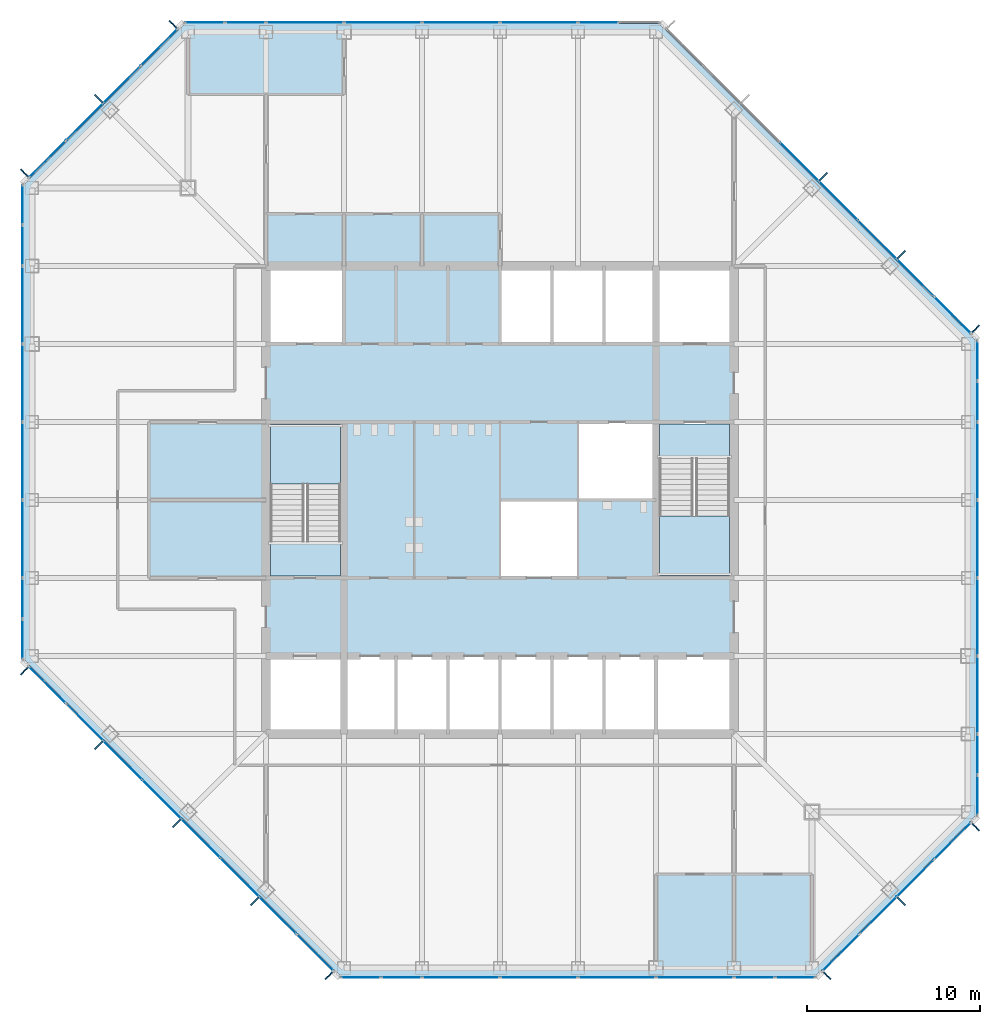
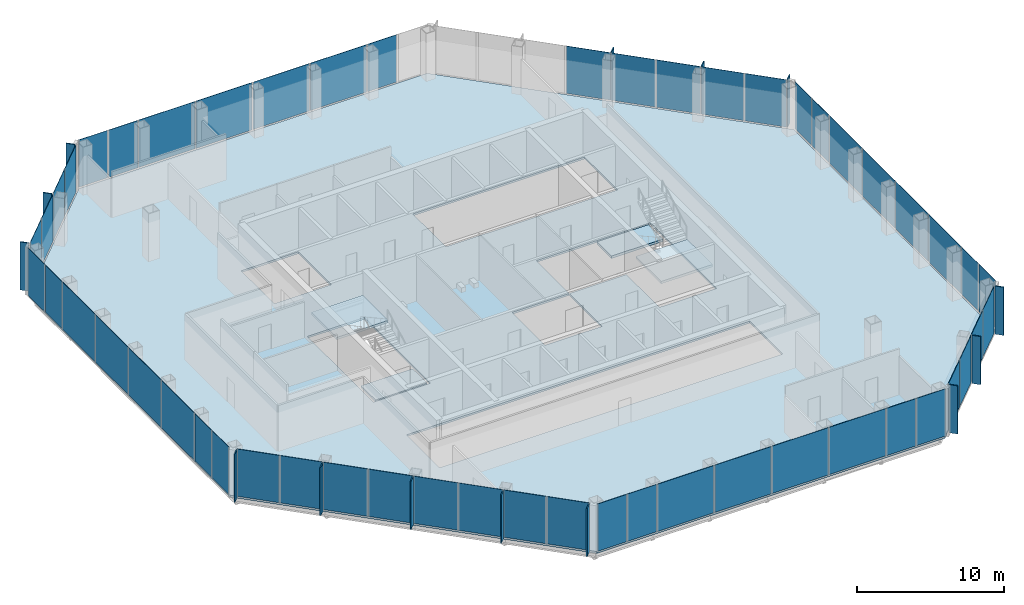
# One storey, part 7 of 12: 66 plates, 5 slabs, 10 elements without a shape of their own.
"""IFC4 building model written with IfcOpenShell, lengths in metres."""

from ifc_helpers import new_model, si_unit, direction, frame, origin, origin_2d, place, context, subcontext, project, spatial, polyline, rectangle, outline, extrude, material, layer, layer_set, type_object, element, aggregate, save


model = new_model("IFC4")

# Units and contexts
model_context = context("Model", 3, precision=1e-05, world=origin(), true_north=direction((0.0, 1.0)))
body_context = subcontext(model_context, "Body", "Model", "MODEL_VIEW")
ifc_project = project(units=[si_unit("LENGTHUNIT", "METRE"), si_unit("AREAUNIT", "SQUARE_METRE"), si_unit("VOLUMEUNIT", "CUBIC_METRE"), si_unit("PLANEANGLEUNIT", "RADIAN"), si_unit("MASSUNIT", "GRAM", prefix="KILO")], contexts=[model_context])

# Site, building, storey
site_placement = place(None, origin())
site = spatial("IfcSite", under=ifc_project, at=site_placement, CompositionType="ELEMENT")
building_placement = place(site_placement, origin())
building = spatial("IfcBuilding", under=site, at=building_placement, Name="Corais Broadcast Tower", CompositionType="ELEMENT")
storey_placement = place(building_placement, frame((0.0, 0.0, 127.60009765625)))
storey = spatial("IfcBuildingStorey", under=building, at=storey_placement, Name="L28", CompositionType="ELEMENT", Elevation=127.60009765625)

# Slab
ifc_material_1 = material(Name="Concrete C30/37", Category="concrete")
ifc_layer_1 = layer(ifc_material_1, 0.159912109375)
ifc_layer_set_1 = layer_set([ifc_layer_1], Name="Concrete C30/37")
slab_type_1 = type_object("IfcSlabType", Name="Composite floor slab 160", PredefinedType="FLOOR", material=ifc_layer_set_1)
slab_1_placement = place(storey_placement, frame((0.0, 0.0, -0.16015625)))
element("IfcSlab", 1, at=slab_1_placement, inside=storey, type_object=slab_type_1, Name="S160 floor slab L28", PredefinedType="FLOOR", context=body_context, shape_type="SweptSolid", body=[
    extrude(outline(polyline([(17.80126953125, -0.47998046875), (-0.47998046875, 17.80126953125), (-0.47998046875, 45.19873046875), (8.80126953125, 54.47998046875), (36.19873046875, 54.47998046875), (54.47998046875, 36.19873046875), (54.47998046875, 8.80126953125), (45.19873046875, -0.47998046875), (17.80126953125, -0.47998046875)]), holes=[polyline([(13.5, 18.0), (40.5, 18.0), (40.5, 13.5), (13.5, 13.5), (13.5, 18.0)]), polyline([(18.0, 22.5), (13.5, 22.5), (13.5, 31.5), (18.0, 31.5), (18.0, 22.5)]), polyline([(18.0, 36.0), (13.5, 36.0), (13.5, 40.5), (18.0, 40.5), (18.0, 36.0)]), polyline([(31.5, 22.5), (27.0, 22.5), (27.0, 27.0), (31.4951171875, 27.0), (31.4951171875, 27.0048828125), (31.5, 27.0048828125), (31.5, 31.5), (40.5, 31.5), (40.5, 22.5), (36.0, 22.5), (36.0, 27.0), (31.5048828125, 27.0), (31.5048828125, 26.9951171875), (31.5, 26.9951171875), (31.5, 22.5)]), polyline([(27.0, 40.5), (40.5, 40.5), (40.5, 36.0), (27.0, 36.0), (27.0, 40.5)])]), origin(), (0.0, 0.0, 1.0), 0.16015625),
])

# Curtain wall, plates
ifc_material_2 = material(Name="Aluminium and glass", Category="aluminium")
curtain_wall_type = type_object("IfcCurtainWallType", Name="Unitised fritted curtain wall CW2", PredefinedType="NOTDEFINED", material=ifc_material_2)
curtain_wall_1_placement = place(storey_placement, origin())
curtain_wall_1 = element("IfcCurtainWall", 2, at=curtain_wall_1_placement, inside=storey, type_object=curtain_wall_type, Name="CW2 curtain wall L28 1", PredefinedType="NOTDEFINED")
ifc_material_3 = material(Name="Ceramic-fritted laminated glass", Category="glass")
ifc_layer_2 = layer(ifc_material_3, 0.028076171875)
ifc_layer_set_2 = layer_set([ifc_layer_2], Name="Ceramic-fritted laminated glass")
plate_type_1 = type_object("IfcPlateType", Name="Fritted glass panel CW2", PredefinedType="CURTAIN_PANEL", material=ifc_layer_set_2)
plate_1_placement = place(storey_placement, frame((16.330322265625, 0.891845703125, 0.06494140625), z_axis=(0.0, 0.0, 1.0), x_axis=(-0.707106781187, 0.707106781187, 0.0)))
plate_1 = element("IfcPlate", 3, at=plate_1_placement, type_object=plate_type_1, Name="CW2 panel 1", PredefinedType="CURTAIN_PANEL", context=body_context, shape_type="SweptSolid", body=[
    extrude(rectangle(XDim=2.9482421875, YDim=0.028076171875, at=origin_2d()), origin(), (0.0, 0.0, 1.0), 3.93505859375),
])
plate_2_placement = place(storey_placement, frame((11.986083984375, 5.236083984375, 0.06494140625), z_axis=(0.0, 0.0, 1.0), x_axis=(-0.707106781187, 0.707106781187, 0.0)))
plate_2 = element("IfcPlate", 4, at=plate_2_placement, type_object=plate_type_1, Name="CW2 panel 3", PredefinedType="CURTAIN_PANEL", context=body_context, shape_type="SweptSolid", body=[
    extrude(rectangle(XDim=3.116943359375, YDim=0.028076171875, at=origin_2d()), origin(), (0.0, 0.0, 1.0), 3.93505859375),
])
plate_3_placement = place(storey_placement, frame((7.486083984375, 9.736083984375, 0.06494140625), z_axis=(0.0, 0.0, 1.0), x_axis=(-0.707106781187, 0.707106781187, 0.0)))
plate_3 = element("IfcPlate", 5, at=plate_3_placement, type_object=plate_type_1, Name="CW2 panel 5", PredefinedType="CURTAIN_PANEL", context=body_context, shape_type="SweptSolid", body=[
    extrude(rectangle(XDim=3.116943359375, YDim=0.028076171875, at=origin_2d()), origin(), (0.0, 0.0, 1.0), 3.93505859375),
])
plate_4_placement = place(storey_placement, frame((3.0341796875, 14.18798828125, 0.06494140625), z_axis=(0.0, 0.0, 1.0), x_axis=(-0.707106781187, 0.707106781187, 0.0)))
plate_4 = element("IfcPlate", 6, at=plate_4_placement, type_object=plate_type_1, Name="CW2 panel 7", PredefinedType="CURTAIN_PANEL", context=body_context, shape_type="SweptSolid", body=[
    extrude(rectangle(XDim=2.98095703125, YDim=0.028076171875, at=origin_2d()), origin(), (0.0, 0.0, 1.0), 3.93505859375),
])

curtain_wall_2_placement = place(storey_placement, origin())
curtain_wall_2 = element("IfcCurtainWall", 7, at=curtain_wall_2_placement, inside=storey, type_object=curtain_wall_type, Name="CW2 curtain wall L28 2", PredefinedType="NOTDEFINED")
plate_5_placement = place(storey_placement, frame((-0.550048828125, 18.970458984375, 0.06494140625), z_axis=(0.0, 0.0, 1.0), x_axis=(0.0, 1.0, 0.0)))
plate_5 = element("IfcPlate", 8, at=plate_5_placement, type_object=plate_type_1, Name="CW2 panel 1", PredefinedType="CURTAIN_PANEL", context=body_context, shape_type="SweptSolid", body=[
    extrude(rectangle(XDim=2.266357421875, YDim=0.028076171875, at=origin_2d()), origin(), (0.0, 0.0, 1.0), 3.93505859375),
])
plate_6_placement = place(storey_placement, frame((-0.550048828125, 24.75, 0.06494140625), z_axis=(0.0, 0.0, 1.0), x_axis=(0.0, 1.0, 0.0)))
plate_6 = element("IfcPlate", 9, at=plate_6_placement, type_object=plate_type_1, Name="CW2 panel 3", PredefinedType="CURTAIN_PANEL", context=body_context, shape_type="SweptSolid", body=[
    extrude(rectangle(XDim=4.43505859375, YDim=0.028076171875, at=origin_2d()), origin(), (0.0, 0.0, 1.0), 3.93505859375),
])
plate_7_placement = place(storey_placement, frame((-0.550048828125, 33.75, 0.06494140625), z_axis=(0.0, 0.0, 1.0), x_axis=(0.0, 1.0, 0.0)))
plate_7 = element("IfcPlate", 10, at=plate_7_placement, type_object=plate_type_1, Name="CW2 panel 5", PredefinedType="CURTAIN_PANEL", context=body_context, shape_type="SweptSolid", body=[
    extrude(rectangle(XDim=4.43505859375, YDim=0.028076171875, at=origin_2d()), origin(), (0.0, 0.0, 1.0), 3.93505859375),
])
plate_8_placement = place(storey_placement, frame((-0.550048828125, 41.681884765625, 0.06494140625), z_axis=(0.0, 0.0, 1.0), x_axis=(0.0, 1.0, 0.0)))
plate_8 = element("IfcPlate", 11, at=plate_8_placement, type_object=plate_type_1, Name="CW2 panel 7", PredefinedType="CURTAIN_PANEL", context=body_context, shape_type="SweptSolid", body=[
    extrude(rectangle(XDim=2.298828125, YDim=0.028076171875, at=origin_2d()), origin(), (0.0, 0.0, 1.0), 3.93505859375),
])

curtain_wall_3_placement = place(storey_placement, origin())
curtain_wall_3 = element("IfcCurtainWall", 12, at=curtain_wall_3_placement, inside=storey, type_object=curtain_wall_type, Name="CW2 curtain wall L28 3", PredefinedType="NOTDEFINED")
plate_9_placement = place(storey_placement, frame((0.891845703125, 46.669677734375, 0.06494140625), z_axis=(0.0, 0.0, 1.0), x_axis=(0.707106781187, 0.707106781187, 0.0)))
plate_9 = element("IfcPlate", 13, at=plate_9_placement, type_object=plate_type_1, Name="CW2 panel 1", PredefinedType="CURTAIN_PANEL", context=body_context, shape_type="SweptSolid", body=[
    extrude(rectangle(XDim=2.9482421875, YDim=0.028076171875, at=origin_2d()), origin(), (0.0, 0.0, 1.0), 3.93505859375),
])
plate_10_placement = place(storey_placement, frame((5.18798828125, 50.9658203125, 0.06494140625), z_axis=(0.0, 0.0, 1.0), x_axis=(0.707106781187, 0.707106781187, 0.0)))
plate_10 = element("IfcPlate", 14, at=plate_10_placement, type_object=plate_type_1, Name="CW2 panel 3", PredefinedType="CURTAIN_PANEL", context=body_context, shape_type="SweptSolid", body=[
    extrude(rectangle(XDim=2.98095703125, YDim=0.028076171875, at=origin_2d()), origin(), (0.0, 0.0, 1.0), 3.93505859375),
])

curtain_wall_4_placement = place(storey_placement, origin())
curtain_wall_4 = element("IfcCurtainWall", 15, at=curtain_wall_4_placement, inside=storey, type_object=curtain_wall_type, Name="CW2 curtain wall L28 4", PredefinedType="NOTDEFINED")
plate_11_placement = place(storey_placement, frame((9.970458984375, 54.550048828125, 0.06494140625), z_axis=(0.0, 0.0, 1.0), x_axis=(1.0, 0.0, 0.0)))
plate_11 = element("IfcPlate", 16, at=plate_11_placement, type_object=plate_type_1, Name="CW2 panel 1", PredefinedType="CURTAIN_PANEL", context=body_context, shape_type="SweptSolid", body=[
    extrude(rectangle(XDim=2.266357421875, YDim=0.028076171875, at=origin_2d()), origin(), (0.0, 0.0, 1.0), 3.93505859375),
])
plate_12_placement = place(storey_placement, frame((15.75, 54.550048828125, 0.06494140625), z_axis=(0.0, 0.0, 1.0), x_axis=(1.0, 0.0, 0.0)))
plate_12 = element("IfcPlate", 17, at=plate_12_placement, type_object=plate_type_1, Name="CW2 panel 3", PredefinedType="CURTAIN_PANEL", context=body_context, shape_type="SweptSolid", body=[
    extrude(rectangle(XDim=4.43505859375, YDim=0.028076171875, at=origin_2d()), origin(), (0.0, 0.0, 1.0), 3.93505859375),
])
plate_13_placement = place(storey_placement, frame((24.75, 54.550048828125, 0.06494140625), z_axis=(0.0, 0.0, 1.0), x_axis=(1.0, 0.0, 0.0)))
plate_13 = element("IfcPlate", 18, at=plate_13_placement, type_object=plate_type_1, Name="CW2 panel 5", PredefinedType="CURTAIN_PANEL", context=body_context, shape_type="SweptSolid", body=[
    extrude(rectangle(XDim=4.43505859375, YDim=0.028076171875, at=origin_2d()), origin(), (0.0, 0.0, 1.0), 3.93505859375),
])
plate_14_placement = place(storey_placement, frame((32.681884765625, 54.550048828125, 0.06494140625), z_axis=(0.0, 0.0, 1.0), x_axis=(1.0, 0.0, 0.0)))
plate_14 = element("IfcPlate", 19, at=plate_14_placement, type_object=plate_type_1, Name="CW2 panel 7", PredefinedType="CURTAIN_PANEL", context=body_context, shape_type="SweptSolid", body=[
    extrude(rectangle(XDim=2.298828125, YDim=0.028076171875, at=origin_2d()), origin(), (0.0, 0.0, 1.0), 3.93505859375),
])

curtain_wall_5_placement = place(storey_placement, origin())
curtain_wall_5 = element("IfcCurtainWall", 20, at=curtain_wall_5_placement, inside=storey, type_object=curtain_wall_type, Name="CW2 curtain wall L28 5", PredefinedType="NOTDEFINED")
plate_15_placement = place(storey_placement, frame((46.513916015625, 44.263916015625, 0.06494140625), z_axis=(0.0, 0.0, 1.0), x_axis=(0.707106781187, -0.707106781187, 0.0)))
plate_15 = element("IfcPlate", 21, at=plate_15_placement, type_object=plate_type_1, Name="CW2 panel 5", PredefinedType="CURTAIN_PANEL", context=body_context, shape_type="SweptSolid", body=[
    extrude(rectangle(XDim=3.116943359375, YDim=0.028076171875, at=origin_2d()), origin(), (0.0, 0.0, 1.0), 3.93505859375),
])
plate_16_placement = place(storey_placement, frame((50.9658203125, 39.81201171875, 0.06494140625), z_axis=(0.0, 0.0, 1.0), x_axis=(0.707106781187, -0.707106781187, 0.0)))
plate_16 = element("IfcPlate", 22, at=plate_16_placement, type_object=plate_type_1, Name="CW2 panel 7", PredefinedType="CURTAIN_PANEL", context=body_context, shape_type="SweptSolid", body=[
    extrude(rectangle(XDim=2.98095703125, YDim=0.028076171875, at=origin_2d()), origin(), (0.0, 0.0, 1.0), 3.93505859375),
])

curtain_wall_6_placement = place(storey_placement, origin())
curtain_wall_6 = element("IfcCurtainWall", 23, at=curtain_wall_6_placement, inside=storey, type_object=curtain_wall_type, Name="CW2 curtain wall L28 6", PredefinedType="NOTDEFINED")
plate_17_placement = place(storey_placement, frame((54.550048828125, 35.029541015625, 0.06494140625), z_axis=(0.0, 0.0, 1.0), x_axis=(0.0, -1.0, 0.0)))
plate_17 = element("IfcPlate", 24, at=plate_17_placement, type_object=plate_type_1, Name="CW2 panel 1", PredefinedType="CURTAIN_PANEL", context=body_context, shape_type="SweptSolid", body=[
    extrude(rectangle(XDim=2.266357421875, YDim=0.028076171875, at=origin_2d()), origin(), (0.0, 0.0, 1.0), 3.93505859375),
])
plate_18_placement = place(storey_placement, frame((54.550048828125, 29.25, 0.06494140625), z_axis=(0.0, 0.0, 1.0), x_axis=(0.0, -1.0, 0.0)))
plate_18 = element("IfcPlate", 25, at=plate_18_placement, type_object=plate_type_1, Name="CW2 panel 3", PredefinedType="CURTAIN_PANEL", context=body_context, shape_type="SweptSolid", body=[
    extrude(rectangle(XDim=4.43505859375, YDim=0.028076171875, at=origin_2d()), origin(), (0.0, 0.0, 1.0), 3.93505859375),
])
plate_19_placement = place(storey_placement, frame((54.550048828125, 20.25, 0.06494140625), z_axis=(0.0, 0.0, 1.0), x_axis=(0.0, -1.0, 0.0)))
plate_19 = element("IfcPlate", 26, at=plate_19_placement, type_object=plate_type_1, Name="CW2 panel 5", PredefinedType="CURTAIN_PANEL", context=body_context, shape_type="SweptSolid", body=[
    extrude(rectangle(XDim=4.43505859375, YDim=0.028076171875, at=origin_2d()), origin(), (0.0, 0.0, 1.0), 3.93505859375),
])
plate_20_placement = place(storey_placement, frame((54.550048828125, 12.318115234375, 0.06494140625), z_axis=(0.0, 0.0, 1.0), x_axis=(0.0, -1.0, 0.0)))
plate_20 = element("IfcPlate", 27, at=plate_20_placement, type_object=plate_type_1, Name="CW2 panel 7", PredefinedType="CURTAIN_PANEL", context=body_context, shape_type="SweptSolid", body=[
    extrude(rectangle(XDim=2.298828125, YDim=0.028076171875, at=origin_2d()), origin(), (0.0, 0.0, 1.0), 3.93505859375),
])

curtain_wall_7_placement = place(storey_placement, origin())
curtain_wall_7 = element("IfcCurtainWall", 28, at=curtain_wall_7_placement, inside=storey, type_object=curtain_wall_type, Name="CW2 curtain wall L28 7", PredefinedType="NOTDEFINED")
plate_21_placement = place(storey_placement, frame((53.108154296875, 7.330322265625, 0.06494140625), z_axis=(0.0, 0.0, 1.0), x_axis=(-0.707106781187, -0.707106781187, 0.0)))
plate_21 = element("IfcPlate", 29, at=plate_21_placement, type_object=plate_type_1, Name="CW2 panel 1", PredefinedType="CURTAIN_PANEL", context=body_context, shape_type="SweptSolid", body=[
    extrude(rectangle(XDim=2.9482421875, YDim=0.028076171875, at=origin_2d()), origin(), (0.0, 0.0, 1.0), 3.93505859375),
])
plate_22_placement = place(storey_placement, frame((48.81201171875, 3.0341796875, 0.06494140625), z_axis=(0.0, 0.0, 1.0), x_axis=(-0.707106781187, -0.707106781187, 0.0)))
plate_22 = element("IfcPlate", 30, at=plate_22_placement, type_object=plate_type_1, Name="CW2 panel 3", PredefinedType="CURTAIN_PANEL", context=body_context, shape_type="SweptSolid", body=[
    extrude(rectangle(XDim=2.98095703125, YDim=0.028076171875, at=origin_2d()), origin(), (0.0, 0.0, 1.0), 3.93505859375),
])

curtain_wall_8_placement = place(storey_placement, origin())
curtain_wall_8 = element("IfcCurtainWall", 31, at=curtain_wall_8_placement, inside=storey, type_object=curtain_wall_type, Name="CW2 curtain wall L28 8", PredefinedType="NOTDEFINED")
plate_23_placement = place(storey_placement, frame((44.029541015625, -0.550048828125, 0.06494140625), z_axis=(0.0, 0.0, 1.0), x_axis=(-1.0, 0.0, 0.0)))
plate_23 = element("IfcPlate", 32, at=plate_23_placement, type_object=plate_type_1, Name="CW2 panel 1", PredefinedType="CURTAIN_PANEL", context=body_context, shape_type="SweptSolid", body=[
    extrude(rectangle(XDim=2.266357421875, YDim=0.028076171875, at=origin_2d()), origin(), (0.0, 0.0, 1.0), 3.93505859375),
])
plate_24_placement = place(storey_placement, frame((38.25, -0.550048828125, 0.06494140625), z_axis=(0.0, 0.0, 1.0), x_axis=(-1.0, 0.0, 0.0)))
plate_24 = element("IfcPlate", 33, at=plate_24_placement, type_object=plate_type_1, Name="CW2 panel 3", PredefinedType="CURTAIN_PANEL", context=body_context, shape_type="SweptSolid", body=[
    extrude(rectangle(XDim=4.43505859375, YDim=0.028076171875, at=origin_2d()), origin(), (0.0, 0.0, 1.0), 3.93505859375),
])
plate_25_placement = place(storey_placement, frame((29.25, -0.550048828125, 0.06494140625), z_axis=(0.0, 0.0, 1.0), x_axis=(-1.0, 0.0, 0.0)))
plate_25 = element("IfcPlate", 34, at=plate_25_placement, type_object=plate_type_1, Name="CW2 panel 5", PredefinedType="CURTAIN_PANEL", context=body_context, shape_type="SweptSolid", body=[
    extrude(rectangle(XDim=4.43505859375, YDim=0.028076171875, at=origin_2d()), origin(), (0.0, 0.0, 1.0), 3.93505859375),
])
plate_26_placement = place(storey_placement, frame((21.318115234375, -0.550048828125, 0.06494140625), z_axis=(0.0, 0.0, 1.0), x_axis=(-1.0, 0.0, 0.0)))
plate_26 = element("IfcPlate", 35, at=plate_26_placement, type_object=plate_type_1, Name="CW2 panel 7", PredefinedType="CURTAIN_PANEL", context=body_context, shape_type="SweptSolid", body=[
    extrude(rectangle(XDim=2.298828125, YDim=0.028076171875, at=origin_2d()), origin(), (0.0, 0.0, 1.0), 3.93505859375),
])

# Plate
ifc_material_4 = material(Name="Clear laminated glass", Category="glass")
ifc_layer_3 = layer(ifc_material_4, 0.031982421875)
ifc_layer_set_3 = layer_set([ifc_layer_3], Name="Clear laminated glass")
plate_type_2 = type_object("IfcPlateType", Name="Operable glass panel CW2", PredefinedType="CURTAIN_PANEL", material=ifc_layer_set_3)
plate_27_placement = place(storey_placement, frame((14.18798828125, 3.0341796875, 0.06494140625), z_axis=(0.0, 0.0, 1.0), x_axis=(-0.707106781187, 0.707106781187, 0.0)))
plate_27 = element("IfcPlate", 36, at=plate_27_placement, type_object=plate_type_2, Name="CW2 operable panel 2", PredefinedType="CURTAIN_PANEL", context=body_context, shape_type="SweptSolid", body=[
    extrude(rectangle(XDim=2.98095703125, YDim=0.031982421875, at=origin_2d()), origin(), (0.0, 0.0, 1.0), 3.93505859375),
])

plate_28_placement = place(storey_placement, frame((9.736083984375, 7.486083984375, 0.06494140625), z_axis=(0.0, 0.0, 1.0), x_axis=(-0.707106781187, 0.707106781187, 0.0)))
plate_28 = element("IfcPlate", 37, at=plate_28_placement, type_object=plate_type_2, Name="CW2 operable panel 4", PredefinedType="CURTAIN_PANEL", context=body_context, shape_type="SweptSolid", body=[
    extrude(rectangle(XDim=3.116943359375, YDim=0.031982421875, at=origin_2d()), origin(), (0.0, 0.0, 1.0), 3.93505859375),
])

plate_29_placement = place(storey_placement, frame((5.236083984375, 11.986083984375, 0.06494140625), z_axis=(0.0, 0.0, 1.0), x_axis=(-0.707106781187, 0.707106781187, 0.0)))
plate_29 = element("IfcPlate", 38, at=plate_29_placement, type_object=plate_type_2, Name="CW2 operable panel 6", PredefinedType="CURTAIN_PANEL", context=body_context, shape_type="SweptSolid", body=[
    extrude(rectangle(XDim=3.116943359375, YDim=0.031982421875, at=origin_2d()), origin(), (0.0, 0.0, 1.0), 3.93505859375),
])

plate_30_placement = place(storey_placement, frame((0.89208984375, 16.330322265625, 0.06494140625), z_axis=(0.0, 0.0, 1.0), x_axis=(-0.707106781187, 0.707106781187, 0.0)))
plate_30 = element("IfcPlate", 39, at=plate_30_placement, type_object=plate_type_2, Name="CW2 operable panel 8", PredefinedType="CURTAIN_PANEL", context=body_context, shape_type="SweptSolid", body=[
    extrude(rectangle(XDim=2.948486328125, YDim=0.031982421875, at=origin_2d()), origin(), (0.0, 0.0, 1.0), 3.93505859375),
])

aggregate(curtain_wall_1, [plate_1, plate_27, plate_2, plate_28, plate_3, plate_29, plate_4, plate_30])

plate_31_placement = place(storey_placement, frame((-0.550048828125, 21.318115234375, 0.06494140625), z_axis=(0.0, 0.0, 1.0), x_axis=(0.0, 1.0, 0.0)))
plate_31 = element("IfcPlate", 40, at=plate_31_placement, type_object=plate_type_2, Name="CW2 operable panel 2", PredefinedType="CURTAIN_PANEL", context=body_context, shape_type="SweptSolid", body=[
    extrude(rectangle(XDim=2.298828125, YDim=0.031982421875, at=origin_2d()), origin(), (0.0, 0.0, 1.0), 3.93505859375),
])

plate_32_placement = place(storey_placement, frame((-0.550048828125, 29.25, 0.06494140625), z_axis=(0.0, 0.0, 1.0), x_axis=(0.0, 1.0, 0.0)))
plate_32 = element("IfcPlate", 41, at=plate_32_placement, type_object=plate_type_2, Name="CW2 operable panel 4", PredefinedType="CURTAIN_PANEL", context=body_context, shape_type="SweptSolid", body=[
    extrude(rectangle(XDim=4.43505859375, YDim=0.031982421875, at=origin_2d()), origin(), (0.0, 0.0, 1.0), 3.93505859375),
])

plate_33_placement = place(storey_placement, frame((-0.550048828125, 38.25, 0.06494140625), z_axis=(0.0, 0.0, 1.0), x_axis=(0.0, 1.0, 0.0)))
plate_33 = element("IfcPlate", 42, at=plate_33_placement, type_object=plate_type_2, Name="CW2 operable panel 6", PredefinedType="CURTAIN_PANEL", context=body_context, shape_type="SweptSolid", body=[
    extrude(rectangle(XDim=4.43505859375, YDim=0.031982421875, at=origin_2d()), origin(), (0.0, 0.0, 1.0), 3.93505859375),
])

plate_34_placement = place(storey_placement, frame((-0.550048828125, 44.029541015625, 0.06494140625), z_axis=(0.0, 0.0, 1.0), x_axis=(0.0, 1.0, 0.0)))
plate_34 = element("IfcPlate", 43, at=plate_34_placement, type_object=plate_type_2, Name="CW2 operable panel 8", PredefinedType="CURTAIN_PANEL", context=body_context, shape_type="SweptSolid", body=[
    extrude(rectangle(XDim=2.266357421875, YDim=0.031982421875, at=origin_2d()), origin(), (0.0, 0.0, 1.0), 3.93505859375),
])

aggregate(curtain_wall_2, [plate_5, plate_31, plate_6, plate_32, plate_7, plate_33, plate_8, plate_34])

plate_35_placement = place(storey_placement, frame((3.0341796875, 48.81201171875, 0.06494140625), z_axis=(0.0, 0.0, 1.0), x_axis=(0.707106781187, 0.707106781187, 0.0)))
plate_35 = element("IfcPlate", 44, at=plate_35_placement, type_object=plate_type_2, Name="CW2 operable panel 2", PredefinedType="CURTAIN_PANEL", context=body_context, shape_type="SweptSolid", body=[
    extrude(rectangle(XDim=2.98095703125, YDim=0.031982421875, at=origin_2d()), origin(), (0.0, 0.0, 1.0), 3.93505859375),
])

plate_36_placement = place(storey_placement, frame((7.330322265625, 53.10791015625, 0.06494140625), z_axis=(0.0, 0.0, 1.0), x_axis=(0.707106781187, 0.707106781187, 0.0)))
plate_36 = element("IfcPlate", 45, at=plate_36_placement, type_object=plate_type_2, Name="CW2 operable panel 4", PredefinedType="CURTAIN_PANEL", context=body_context, shape_type="SweptSolid", body=[
    extrude(rectangle(XDim=2.948486328125, YDim=0.031982421875, at=origin_2d()), origin(), (0.0, 0.0, 1.0), 3.93505859375),
])

aggregate(curtain_wall_3, [plate_9, plate_35, plate_10, plate_36])

plate_37_placement = place(storey_placement, frame((12.318115234375, 54.550048828125, 0.06494140625), z_axis=(0.0, 0.0, 1.0), x_axis=(1.0, 0.0, 0.0)))
plate_37 = element("IfcPlate", 46, at=plate_37_placement, type_object=plate_type_2, Name="CW2 operable panel 2", PredefinedType="CURTAIN_PANEL", context=body_context, shape_type="SweptSolid", body=[
    extrude(rectangle(XDim=2.298828125, YDim=0.031982421875, at=origin_2d()), origin(), (0.0, 0.0, 1.0), 3.93505859375),
])

plate_38_placement = place(storey_placement, frame((20.25, 54.550048828125, 0.06494140625), z_axis=(0.0, 0.0, 1.0), x_axis=(1.0, 0.0, 0.0)))
plate_38 = element("IfcPlate", 47, at=plate_38_placement, type_object=plate_type_2, Name="CW2 operable panel 4", PredefinedType="CURTAIN_PANEL", context=body_context, shape_type="SweptSolid", body=[
    extrude(rectangle(XDim=4.43505859375, YDim=0.031982421875, at=origin_2d()), origin(), (0.0, 0.0, 1.0), 3.93505859375),
])

plate_39_placement = place(storey_placement, frame((29.25, 54.550048828125, 0.06494140625), z_axis=(0.0, 0.0, 1.0), x_axis=(1.0, 0.0, 0.0)))
plate_39 = element("IfcPlate", 48, at=plate_39_placement, type_object=plate_type_2, Name="CW2 operable panel 6", PredefinedType="CURTAIN_PANEL", context=body_context, shape_type="SweptSolid", body=[
    extrude(rectangle(XDim=4.43505859375, YDim=0.031982421875, at=origin_2d()), origin(), (0.0, 0.0, 1.0), 3.93505859375),
])

aggregate(curtain_wall_4, [plate_11, plate_37, plate_12, plate_38, plate_13, plate_39, plate_14])

plate_40_placement = place(storey_placement, frame((44.263916015625, 46.513916015625, 0.06494140625), z_axis=(0.0, 0.0, 1.0), x_axis=(0.707106781187, -0.707106781187, 0.0)))
plate_40 = element("IfcPlate", 49, at=plate_40_placement, type_object=plate_type_2, Name="CW2 operable panel 4", PredefinedType="CURTAIN_PANEL", context=body_context, shape_type="SweptSolid", body=[
    extrude(rectangle(XDim=3.116943359375, YDim=0.031982421875, at=origin_2d()), origin(), (0.0, 0.0, 1.0), 3.93505859375),
])

plate_41_placement = place(storey_placement, frame((48.763916015625, 42.013916015625, 0.06494140625), z_axis=(0.0, 0.0, 1.0), x_axis=(0.707106781187, -0.707106781187, 0.0)))
plate_41 = element("IfcPlate", 50, at=plate_41_placement, type_object=plate_type_2, Name="CW2 operable panel 6", PredefinedType="CURTAIN_PANEL", context=body_context, shape_type="SweptSolid", body=[
    extrude(rectangle(XDim=3.116943359375, YDim=0.031982421875, at=origin_2d()), origin(), (0.0, 0.0, 1.0), 3.93505859375),
])

plate_42_placement = place(storey_placement, frame((53.10791015625, 37.669677734375, 0.06494140625), z_axis=(0.0, 0.0, 1.0), x_axis=(0.707106781187, -0.707106781187, 0.0)))
plate_42 = element("IfcPlate", 51, at=plate_42_placement, type_object=plate_type_2, Name="CW2 operable panel 8", PredefinedType="CURTAIN_PANEL", context=body_context, shape_type="SweptSolid", body=[
    extrude(rectangle(XDim=2.948486328125, YDim=0.031982421875, at=origin_2d()), origin(), (0.0, 0.0, 1.0), 3.93505859375),
])

aggregate(curtain_wall_5, [plate_40, plate_15, plate_41, plate_16, plate_42])

plate_43_placement = place(storey_placement, frame((54.550048828125, 32.681884765625, 0.06494140625), z_axis=(0.0, 0.0, 1.0), x_axis=(0.0, -1.0, 0.0)))
plate_43 = element("IfcPlate", 52, at=plate_43_placement, type_object=plate_type_2, Name="CW2 operable panel 2", PredefinedType="CURTAIN_PANEL", context=body_context, shape_type="SweptSolid", body=[
    extrude(rectangle(XDim=2.298828125, YDim=0.031982421875, at=origin_2d()), origin(), (0.0, 0.0, 1.0), 3.93505859375),
])

plate_44_placement = place(storey_placement, frame((54.550048828125, 24.75, 0.06494140625), z_axis=(0.0, 0.0, 1.0), x_axis=(0.0, -1.0, 0.0)))
plate_44 = element("IfcPlate", 53, at=plate_44_placement, type_object=plate_type_2, Name="CW2 operable panel 4", PredefinedType="CURTAIN_PANEL", context=body_context, shape_type="SweptSolid", body=[
    extrude(rectangle(XDim=4.43505859375, YDim=0.031982421875, at=origin_2d()), origin(), (0.0, 0.0, 1.0), 3.93505859375),
])

plate_45_placement = place(storey_placement, frame((54.550048828125, 15.75, 0.06494140625), z_axis=(0.0, 0.0, 1.0), x_axis=(0.0, -1.0, 0.0)))
plate_45 = element("IfcPlate", 54, at=plate_45_placement, type_object=plate_type_2, Name="CW2 operable panel 6", PredefinedType="CURTAIN_PANEL", context=body_context, shape_type="SweptSolid", body=[
    extrude(rectangle(XDim=4.43505859375, YDim=0.031982421875, at=origin_2d()), origin(), (0.0, 0.0, 1.0), 3.93505859375),
])

plate_46_placement = place(storey_placement, frame((54.550048828125, 9.970458984375, 0.06494140625), z_axis=(0.0, 0.0, 1.0), x_axis=(0.0, -1.0, 0.0)))
plate_46 = element("IfcPlate", 55, at=plate_46_placement, type_object=plate_type_2, Name="CW2 operable panel 8", PredefinedType="CURTAIN_PANEL", context=body_context, shape_type="SweptSolid", body=[
    extrude(rectangle(XDim=2.266357421875, YDim=0.031982421875, at=origin_2d()), origin(), (0.0, 0.0, 1.0), 3.93505859375),
])

aggregate(curtain_wall_6, [plate_17, plate_43, plate_18, plate_44, plate_19, plate_45, plate_20, plate_46])

plate_47_placement = place(storey_placement, frame((50.9658203125, 5.18798828125, 0.06494140625), z_axis=(0.0, 0.0, 1.0), x_axis=(-0.707106781187, -0.707106781187, 0.0)))
plate_47 = element("IfcPlate", 56, at=plate_47_placement, type_object=plate_type_2, Name="CW2 operable panel 2", PredefinedType="CURTAIN_PANEL", context=body_context, shape_type="SweptSolid", body=[
    extrude(rectangle(XDim=2.98095703125, YDim=0.031982421875, at=origin_2d()), origin(), (0.0, 0.0, 1.0), 3.93505859375),
])

plate_48_placement = place(storey_placement, frame((46.669677734375, 0.89208984375, 0.06494140625), z_axis=(0.0, 0.0, 1.0), x_axis=(-0.707106781187, -0.707106781187, 0.0)))
plate_48 = element("IfcPlate", 57, at=plate_48_placement, type_object=plate_type_2, Name="CW2 operable panel 4", PredefinedType="CURTAIN_PANEL", context=body_context, shape_type="SweptSolid", body=[
    extrude(rectangle(XDim=2.948486328125, YDim=0.031982421875, at=origin_2d()), origin(), (0.0, 0.0, 1.0), 3.93505859375),
])

aggregate(curtain_wall_7, [plate_21, plate_47, plate_22, plate_48])

plate_49_placement = place(storey_placement, frame((41.681884765625, -0.550048828125, 0.06494140625), z_axis=(0.0, 0.0, 1.0), x_axis=(-1.0, 0.0, 0.0)))
plate_49 = element("IfcPlate", 58, at=plate_49_placement, type_object=plate_type_2, Name="CW2 operable panel 2", PredefinedType="CURTAIN_PANEL", context=body_context, shape_type="SweptSolid", body=[
    extrude(rectangle(XDim=2.298828125, YDim=0.031982421875, at=origin_2d()), origin(), (0.0, 0.0, 1.0), 3.93505859375),
])

plate_50_placement = place(storey_placement, frame((33.75, -0.550048828125, 0.06494140625), z_axis=(0.0, 0.0, 1.0), x_axis=(-1.0, 0.0, 0.0)))
plate_50 = element("IfcPlate", 59, at=plate_50_placement, type_object=plate_type_2, Name="CW2 operable panel 4", PredefinedType="CURTAIN_PANEL", context=body_context, shape_type="SweptSolid", body=[
    extrude(rectangle(XDim=4.43505859375, YDim=0.031982421875, at=origin_2d()), origin(), (0.0, 0.0, 1.0), 3.93505859375),
])

plate_51_placement = place(storey_placement, frame((24.75, -0.550048828125, 0.06494140625), z_axis=(0.0, 0.0, 1.0), x_axis=(-1.0, 0.0, 0.0)))
plate_51 = element("IfcPlate", 60, at=plate_51_placement, type_object=plate_type_2, Name="CW2 operable panel 6", PredefinedType="CURTAIN_PANEL", context=body_context, shape_type="SweptSolid", body=[
    extrude(rectangle(XDim=4.43505859375, YDim=0.031982421875, at=origin_2d()), origin(), (0.0, 0.0, 1.0), 3.93505859375),
])

plate_52_placement = place(storey_placement, frame((18.970458984375, -0.550048828125, 0.06494140625), z_axis=(0.0, 0.0, 1.0), x_axis=(-1.0, 0.0, 0.0)))
plate_52 = element("IfcPlate", 61, at=plate_52_placement, type_object=plate_type_2, Name="CW2 operable panel 8", PredefinedType="CURTAIN_PANEL", context=body_context, shape_type="SweptSolid", body=[
    extrude(rectangle(XDim=2.266357421875, YDim=0.031982421875, at=origin_2d()), origin(), (0.0, 0.0, 1.0), 3.93505859375),
])

aggregate(curtain_wall_8, [plate_23, plate_49, plate_24, plate_50, plate_25, plate_51, plate_26, plate_52])

# Stair, slabs
ifc_material_5 = material(Name="Concrete C30/37", Category="concrete")
stair_type = type_object("IfcStairType", Name="Half-turn stair 4000", PredefinedType="HALF_TURN_STAIR", material=ifc_material_5)
stair_1_placement = place(storey_placement, origin())
stair_1 = element("IfcStair", 62, at=stair_1_placement, inside=storey, type_object=stair_type, Name="Stair A L28", PredefinedType="HALF_TURN_STAIR")
ifc_material_6 = material(Name="Concrete C30/37", Category="concrete")
ifc_layer_4 = layer(ifc_material_6, 0.199951171875)
ifc_layer_set_4 = layer_set([ifc_layer_4], Name="Concrete C30/37")
slab_type_2 = type_object("IfcSlabType", Name="Stair landing 200", PredefinedType="LANDING", material=ifc_layer_set_4)
slab_2_placement = place(storey_placement, frame((0.0, 0.0, -0.2001953125)))
slab_2 = element("IfcSlab", 63, at=slab_2_placement, type_object=slab_type_2, Name="STA landing 1", PredefinedType="LANDING", context=body_context, shape_type="SweptSolid", body=[
    extrude(outline(polyline([(13.75, 22.625), (17.800048828125, 22.625), (17.800048828125, 24.60009765625), (13.75, 24.60009765625), (13.75, 22.625)])), origin(), (0.0, 0.0, 1.0), 0.2001953125),
])
slab_3_placement = place(storey_placement, frame((0.0, 0.0, 1.7998046875)))
slab_3 = element("IfcSlab", 64, at=slab_3_placement, type_object=slab_type_2, Name="STA landing 2", PredefinedType="LANDING", context=body_context, shape_type="SweptSolid", body=[
    extrude(outline(polyline([(13.75, 27.922119140625), (17.800048828125, 27.922119140625), (17.800048828125, 31.375), (13.75, 31.375), (13.75, 27.922119140625)])), origin(), (0.0, 0.0, 1.0), 0.2001953125),
])
aggregate(stair_1, [slab_2, slab_3])

stair_2_placement = place(storey_placement, origin())
stair_2 = element("IfcStair", 65, at=stair_2_placement, inside=storey, type_object=stair_type, Name="Stair B L28", PredefinedType="HALF_TURN_STAIR")
slab_4_placement = place(storey_placement, frame((0.0, 0.0, -0.2001953125)))
slab_4 = element("IfcSlab", 66, at=slab_4_placement, type_object=slab_type_2, Name="STB landing 1", PredefinedType="LANDING", context=body_context, shape_type="SweptSolid", body=[
    extrude(outline(polyline([(36.199951171875, 29.39990234375), (40.25, 29.39990234375), (40.25, 31.375), (36.199951171875, 31.375), (36.199951171875, 29.39990234375)])), origin(), (0.0, 0.0, 1.0), 0.2001953125),
])
slab_5_placement = place(storey_placement, frame((0.0, 0.0, 1.7998046875)))
slab_5 = element("IfcSlab", 67, at=slab_5_placement, type_object=slab_type_2, Name="STB landing 2", PredefinedType="LANDING", context=body_context, shape_type="SweptSolid", body=[
    extrude(outline(polyline([(36.199951171875, 22.625), (40.25, 22.625), (40.25, 26.077880859375), (36.199951171875, 26.077880859375), (36.199951171875, 22.625)])), origin(), (0.0, 0.0, 1.0), 0.2001953125),
])
aggregate(stair_2, [slab_4, slab_5])

# Plates
ifc_material_7 = material(Name="Granite stone cladding", Category="masonry")
ifc_layer_5 = layer(ifc_material_7, 0.080078125)
ifc_layer_set_5 = layer_set([ifc_layer_5], Name="Granite stone cladding")
plate_type_3 = type_object("IfcPlateType", Name="Stone screen fin 80x600", PredefinedType="USERDEFINED", material=ifc_layer_set_5)
for number, where, z_axis, x_axis, name in (
    (68, (17.1220703125, -0.447021484375, 0.0), (0.0, 0.0, 1.0), (-0.707106781187, 0.707106781187, 0.0), "SF1 stone screen fin L28"),
    (69, (12.83740234375, 3.83740234375, 0.0), (0.0, 0.0, 1.0), (-0.707106781187, 0.707106781187, 0.0), "SF1 stone screen fin L28"),
    (70, (8.33740234375, 8.33740234375, 0.0), (0.0, 0.0, 1.0), (-0.707106781187, 0.707106781187, 0.0), "SF1 stone screen fin L28"),
    (71, (3.83740234375, 12.83740234375, 0.0), (0.0, 0.0, 1.0), (-0.707106781187, 0.707106781187, 0.0), "SF1 stone screen fin L28"),
    (72, (-0.447021484375, 17.1220703125, 0.0), (0.0, 0.0, 1.0), (-0.707106781187, 0.707106781187, 0.0), "SF1 stone screen fin L28"),
    (73, (-0.447021484375, 45.8779296875, 0.0), (0.0, 0.0, 1.0), (0.707106781187, 0.707106781187, 0.0), "SF1 stone screen fin L28"),
    (74, (3.83740234375, 50.16259765625, 0.0), (0.0, 0.0, 1.0), (0.707106781187, 0.707106781187, 0.0), "SF1 stone screen fin L28"),
    (75, (8.1220703125, 54.447021484375, 0.0), (0.0, 0.0, 1.0), (0.707106781187, 0.707106781187, 0.0), "SF1 stone screen fin L28"),
    (76, (45.66259765625, 45.66259765625, 0.0), (0.0, 0.0, 1.0), (0.707106781187, -0.707106781187, 0.0), "SF1 stone screen fin L28"),
    (77, (50.16259765625, 41.16259765625, 0.0), (0.0, 0.0, 1.0), (0.707106781187, -0.707106781187, 0.0), "SF1 stone screen fin L28"),
    (78, (54.447021484375, 36.8779296875, 0.0), (0.0, 0.0, 1.0), (0.707106781187, -0.707106781187, 0.0), "SF1 stone screen fin L28"),
    (79, (54.447021484375, 8.1220703125, 0.0), (0.0, 0.0, 1.0), (-0.707106781187, -0.707106781187, 0.0), "SF1 stone screen fin L28"),
    (80, (50.16259765625, 3.83740234375, 0.0), (0.0, 0.0, 1.0), (-0.707106781187, -0.707106781187, 0.0), "SF1 stone screen fin L28"),
    (81, (45.8779296875, -0.447021484375, 0.0), (0.0, 0.0, 1.0), (-0.707106781187, -0.707106781187, 0.0), "SF1 stone screen fin L28"),
):
    element("IfcPlate", number, at=place(storey_placement, frame(where, z_axis=z_axis, x_axis=x_axis)), inside=storey, type_object=plate_type_3, Name=name, ObjectType="STONE SCREEN FIN", PredefinedType="USERDEFINED", context=body_context, shape_type="SweptSolid", body=[
        extrude(rectangle(XDim=0.080078125, YDim=0.60009765625, at=origin_2d()), origin(), (0.0, 0.0, 1.0), 4.0),
    ])

save(model, "model.ifc")
